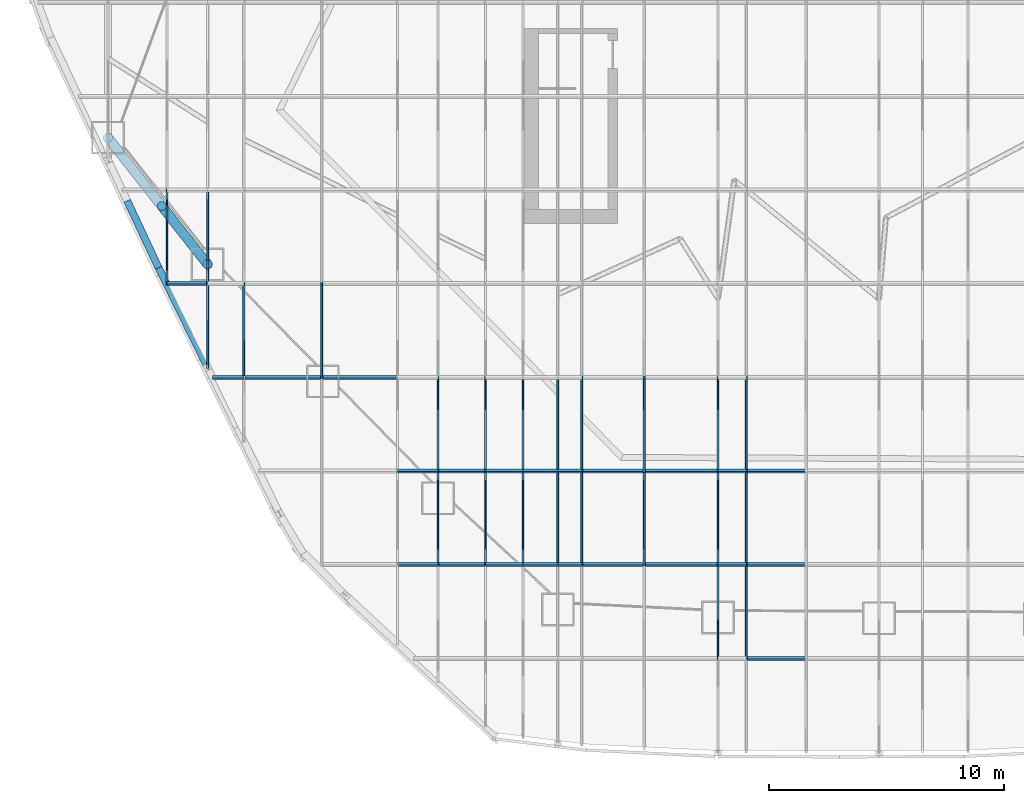
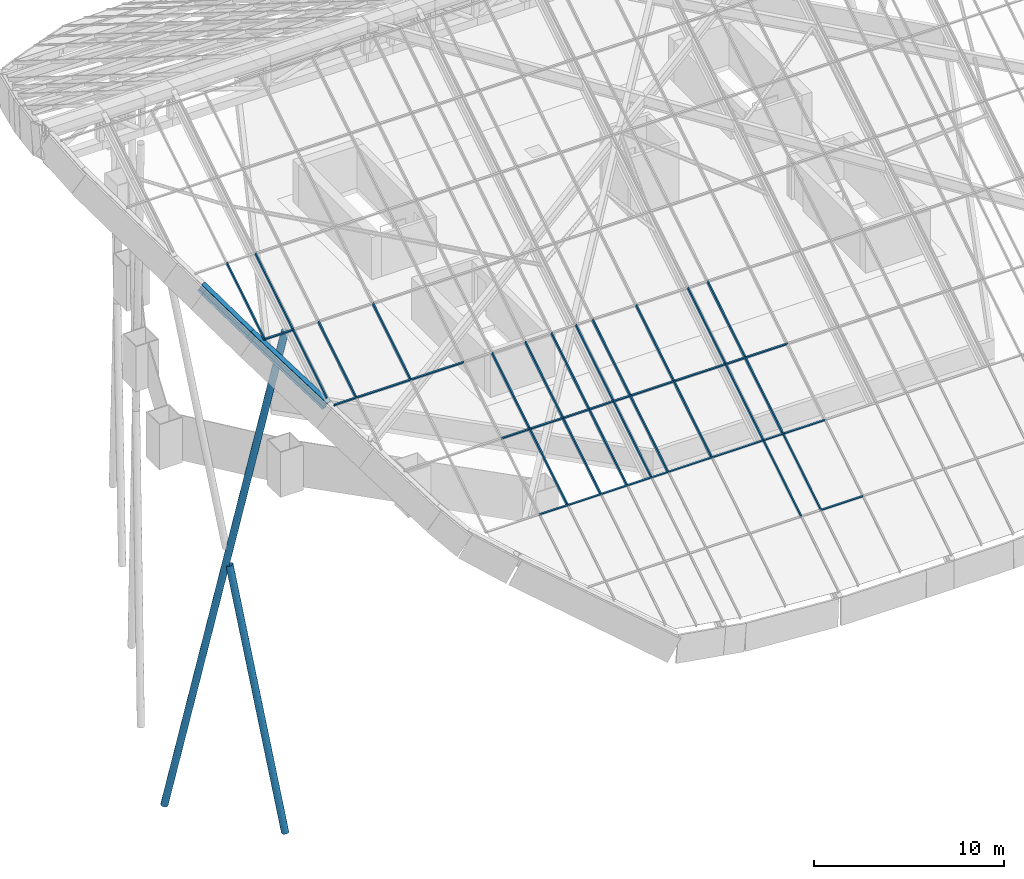
# One storey, part 2 of 38: 50 members, 27 elements without a shape of their own.
"""IFC4 building model written with IfcOpenShell, lengths in metres."""

from ifc_helpers import new_model, si_unit, direction, frame, origin, origin_2d, place, context, subcontext, project, spatial, rectangle, hollow_circle, i_section, extrude, material, layer, layer_set, material_profile, profile_set, type_object, element, aggregate, save


model = new_model("IFC4")

# Units and contexts
model_context = context("Model", 3, precision=1e-05, world=origin(), true_north=direction((0.0, 1.0)))
body_context = subcontext(model_context, "Body", "Model", "MODEL_VIEW")
ifc_project = project(units=[si_unit("LENGTHUNIT", "METRE"), si_unit("AREAUNIT", "SQUARE_METRE"), si_unit("VOLUMEUNIT", "CUBIC_METRE"), si_unit("PLANEANGLEUNIT", "RADIAN"), si_unit("MASSUNIT", "GRAM", prefix="KILO")], contexts=[model_context])

# Site, building, storey
site_placement = place(None, origin())
site = spatial("IfcSite", under=ifc_project, at=site_placement, CompositionType="ELEMENT")
building_placement = place(site_placement, origin())
building = spatial("IfcBuilding", under=site, at=building_placement, Name="Dongbaek Canopy Tower", CompositionType="ELEMENT")
storey_placement = place(building_placement, frame((0.0, 0.0, 375.800048828125)))
storey = spatial("IfcBuildingStorey", under=building, at=storey_placement, Name="Roof", CompositionType="ELEMENT", Elevation=375.800048828125)

# Members
ifc_material_1 = material(Name="Steel S355", Category="steel")
ifc_material_profile_1 = material_profile(ifc_material_1, hollow_circle(Radius=0.203125, WallThickness=0.0126953125, at=origin_2d()), Name="COLONNADE BRACE CHS 406.4x12.7 Steel S355")
ifc_profile_set_1 = profile_set([ifc_material_profile_1], Name="Steel S355")
member_type_1 = type_object("IfcMemberType", Name="COLONNADE BRACE CHS 406.4x12.7 Steel S355", PredefinedType="BRACE", material=ifc_profile_set_1)
member_1_placement = place(storey_placement, frame((-31.12890625, -6.7451171875, -22.199951171875), z_axis=(0.128523470724, -0.163349949288, 0.978160780005), x_axis=(0.785904270867, 0.618348184304, 0.0)))
element("IfcMember", 1, at=member_1_placement, inside=storey, type_object=member_type_1, Name="XBRACE:00:0", PredefinedType="BRACE", context=body_context, shape_type="SweptSolid", body=[
    extrude(hollow_circle(Radius=0.203125, WallThickness=0.0126953125, at=origin_2d()), origin(), (0.0, 0.0, 1.0), 32.989990234375),
])
member_2_placement = place(storey_placement, frame((-26.888916015625, -12.134033203125, -22.199951171875), z_axis=(-0.116835686354, 0.148500887366, 0.981986206036), x_axis=(-0.785916016316, -0.618333255857, 0.0)))
element("IfcMember", 2, at=member_2_placement, inside=storey, type_object=member_type_1, Name="XBRACE:00:1", PredefinedType="BRACE", context=body_context, shape_type="SweptSolid", body=[
    extrude(hollow_circle(Radius=0.203125, WallThickness=0.0126953125, at=origin_2d()), origin(), (0.0, 0.0, 1.0), 16.72314453125),
])

# Curtain wall, member
ifc_material_2 = material(Name="Aluminium 6063-T6 pale anodised", Category="aluminium")
ifc_layer = layer(ifc_material_2, 0.199951171875)
ifc_layer_set = layer_set([ifc_layer], Name="CW-6 canopy glazing curtain wall")
curtain_wall_type = type_object("IfcCurtainWallType", Name="CW-6 canopy glazing curtain wall", PredefinedType="NOTDEFINED", material=ifc_layer_set)
curtain_wall_1_placement = place(storey_placement, origin())
curtain_wall_1 = element("IfcCurtainWall", 3, at=curtain_wall_1_placement, inside=storey, type_object=curtain_wall_type, Name="CW-6 canopy glazing south 2.3", PredefinedType="NOTDEFINED")
ifc_material_3 = material(Name="Aluminium 6063-T6 pale anodised", Category="aluminium")
ifc_material_profile_2 = material_profile(ifc_material_3, rectangle(XDim=0.080078125, YDim=0.199951171875, at=origin_2d()), Name="CW-6 mullion 80 x 200")
ifc_profile_set_2 = profile_set([ifc_material_profile_2], Name="Aluminium 6063-T6 pale anodised")
member_type_2 = type_object("IfcMemberType", Name="CW-6 mullion 80 x 200", PredefinedType="MULLION", material=ifc_profile_set_2)
member_3_placement = place(storey_placement, frame((-28.616943359375, -8.972412109375, 13.116943359375), z_axis=(0.0, -0.848068327403, -0.529886886095), x_axis=(1.0, 0.0, 0.0)))
member_3 = element("IfcMember", 4, at=member_3_placement, type_object=member_type_2, Name="CW-6 mullion S2.3.-28.6", PredefinedType="MULLION", context=body_context, shape_type="SweptSolid", body=[
    extrude(rectangle(XDim=0.080078125, YDim=0.199951171875, at=origin_2d()), origin(), (0.0, 0.0, 1.0), 4.700439453125),
])
aggregate(curtain_wall_1, [member_3])

curtain_wall_2_placement = place(storey_placement, origin())
curtain_wall_2 = element("IfcCurtainWall", 5, at=curtain_wall_2_placement, inside=storey, type_object=curtain_wall_type, Name="CW-6 canopy glazing south 3.3", PredefinedType="NOTDEFINED")
member_4_placement = place(storey_placement, frame((-26.888916015625, -8.972412109375, 13.116943359375), z_axis=(0.0, -0.848068327403, -0.529886886095), x_axis=(1.0, 0.0, 0.0)))
member_4 = element("IfcMember", 6, at=member_4_placement, type_object=member_type_2, Name="CW-6 mullion S3.3.-26.9", PredefinedType="MULLION", context=body_context, shape_type="SweptSolid", body=[
    extrude(rectangle(XDim=0.080078125, YDim=0.199951171875, at=origin_2d()), origin(), (0.0, 0.0, 1.0), 4.700439453125),
])

curtain_wall_3_placement = place(storey_placement, origin())
curtain_wall_3 = element("IfcCurtainWall", 7, at=curtain_wall_3_placement, inside=storey, type_object=curtain_wall_type, Name="CW-6 canopy glazing south 3.4", PredefinedType="NOTDEFINED")
member_5_placement = place(storey_placement, frame((-26.888916015625, -12.958740234375, 10.626220703125), z_axis=(0.0, -0.848040836517, -0.529930881908), x_axis=(1.0, 0.0, 0.0)))
member_5 = element("IfcMember", 8, at=member_5_placement, type_object=member_type_2, Name="CW-6 mullion S3.4.-26.9", PredefinedType="MULLION", context=body_context, shape_type="SweptSolid", body=[
    extrude(rectangle(XDim=0.080078125, YDim=0.199951171875, at=origin_2d()), origin(), (0.0, 0.0, 1.0), 4.19189453125),
])
aggregate(curtain_wall_3, [member_5])

curtain_wall_4_placement = place(storey_placement, origin())
curtain_wall_4 = element("IfcCurtainWall", 9, at=curtain_wall_4_placement, inside=storey, type_object=curtain_wall_type, Name="CW-6 canopy glazing south 4.4", PredefinedType="NOTDEFINED")
member_6_placement = place(storey_placement, frame((-25.346923828125, -12.958740234375, 10.626220703125), z_axis=(0.0, -0.848030400431, -0.529947582262), x_axis=(1.0, 0.0, 0.0)))
member_6 = element("IfcMember", 10, at=member_6_placement, type_object=member_type_2, Name="CW-6 mullion S4.4.-25.3", PredefinedType="MULLION", context=body_context, shape_type="SweptSolid", body=[
    extrude(rectangle(XDim=0.080078125, YDim=0.199951171875, at=origin_2d()), origin(), (0.0, 0.0, 1.0), 4.700439453125),
])

curtain_wall_5_placement = place(storey_placement, origin())
curtain_wall_5 = element("IfcCurtainWall", 11, at=curtain_wall_5_placement, inside=storey, type_object=curtain_wall_type, Name="CW-6 canopy glazing south 5.4", PredefinedType="NOTDEFINED")
member_7_placement = place(storey_placement, frame((-22.031005859375, -12.958740234375, 10.626220703125), z_axis=(0.0, -0.848030400431, -0.529947582262), x_axis=(1.0, 0.0, 0.0)))
member_7 = element("IfcMember", 12, at=member_7_placement, type_object=member_type_2, Name="CW-6 mullion S5.4.-22.0", PredefinedType="MULLION", context=body_context, shape_type="SweptSolid", body=[
    extrude(rectangle(XDim=0.080078125, YDim=0.199951171875, at=origin_2d()), origin(), (0.0, 0.0, 1.0), 4.700439453125),
])

curtain_wall_6_placement = place(storey_placement, origin())
curtain_wall_6 = element("IfcCurtainWall", 13, at=curtain_wall_6_placement, inside=storey, type_object=curtain_wall_type, Name="CW-6 canopy glazing south 7.5", PredefinedType="NOTDEFINED")
member_8_placement = place(storey_placement, frame((-17.083984375, -16.94482421875, 8.13525390625), z_axis=(0.0, -0.848068327403, -0.529886886095), x_axis=(1.0, 0.0, 0.0)))
member_8 = element("IfcMember", 14, at=member_8_placement, type_object=member_type_2, Name="CW-6 mullion S7.5.-17.1", PredefinedType="MULLION", context=body_context, shape_type="SweptSolid", body=[
    extrude(rectangle(XDim=0.080078125, YDim=0.199951171875, at=origin_2d()), origin(), (0.0, 0.0, 1.0), 4.700439453125),
])

curtain_wall_7_placement = place(storey_placement, origin())
curtain_wall_7 = element("IfcCurtainWall", 15, at=curtain_wall_7_placement, inside=storey, type_object=curtain_wall_type, Name="CW-6 canopy glazing south 7.6", PredefinedType="NOTDEFINED")
member_9_placement = place(storey_placement, frame((-17.083984375, -20.93115234375, 5.64453125), z_axis=(0.0, -0.848030400431, -0.529947582262), x_axis=(1.0, 0.0, 0.0)))
member_9 = element("IfcMember", 16, at=member_9_placement, type_object=member_type_2, Name="CW-6 mullion S7.6.-17.1", PredefinedType="MULLION", context=body_context, shape_type="SweptSolid", body=[
    extrude(rectangle(XDim=0.080078125, YDim=0.199951171875, at=origin_2d()), origin(), (0.0, 0.0, 1.0), 4.700439453125),
])

curtain_wall_8_placement = place(storey_placement, origin())
curtain_wall_8 = element("IfcCurtainWall", 17, at=curtain_wall_8_placement, inside=storey, type_object=curtain_wall_type, Name="CW-6 canopy glazing south 8.5", PredefinedType="NOTDEFINED")
member_10_placement = place(storey_placement, frame((-15.06201171875, -16.94482421875, 8.13525390625), z_axis=(0.0, -0.848068327403, -0.529886886095), x_axis=(1.0, 0.0, 0.0)))
member_10 = element("IfcMember", 18, at=member_10_placement, type_object=member_type_2, Name="CW-6 mullion S8.5.-15.1", PredefinedType="MULLION", context=body_context, shape_type="SweptSolid", body=[
    extrude(rectangle(XDim=0.080078125, YDim=0.199951171875, at=origin_2d()), origin(), (0.0, 0.0, 1.0), 4.700439453125),
])

curtain_wall_9_placement = place(storey_placement, origin())
curtain_wall_9 = element("IfcCurtainWall", 19, at=curtain_wall_9_placement, inside=storey, type_object=curtain_wall_type, Name="CW-6 canopy glazing south 8.6", PredefinedType="NOTDEFINED")
member_11_placement = place(storey_placement, frame((-15.06201171875, -20.93115234375, 5.64453125), z_axis=(0.0, -0.848030400431, -0.529947582262), x_axis=(1.0, 0.0, 0.0)))
member_11 = element("IfcMember", 20, at=member_11_placement, type_object=member_type_2, Name="CW-6 mullion S8.6.-15.1", PredefinedType="MULLION", context=body_context, shape_type="SweptSolid", body=[
    extrude(rectangle(XDim=0.080078125, YDim=0.199951171875, at=origin_2d()), origin(), (0.0, 0.0, 1.0), 4.700439453125),
])

curtain_wall_10_placement = place(storey_placement, origin())
curtain_wall_10 = element("IfcCurtainWall", 21, at=curtain_wall_10_placement, inside=storey, type_object=curtain_wall_type, Name="CW-6 canopy glazing south 9.5", PredefinedType="NOTDEFINED")
member_12_placement = place(storey_placement, frame((-13.464599609375, -16.94482421875, 8.13525390625), z_axis=(0.0, -0.848068327403, -0.529886886095), x_axis=(1.0, 0.0, 0.0)))
member_12 = element("IfcMember", 22, at=member_12_placement, type_object=member_type_2, Name="CW-6 mullion S9.5.-13.5", PredefinedType="MULLION", context=body_context, shape_type="SweptSolid", body=[
    extrude(rectangle(XDim=0.080078125, YDim=0.199951171875, at=origin_2d()), origin(), (0.0, 0.0, 1.0), 4.700439453125),
])

curtain_wall_11_placement = place(storey_placement, origin())
curtain_wall_11 = element("IfcCurtainWall", 23, at=curtain_wall_11_placement, inside=storey, type_object=curtain_wall_type, Name="CW-6 canopy glazing south 9.6", PredefinedType="NOTDEFINED")
member_13_placement = place(storey_placement, frame((-13.464599609375, -20.93115234375, 5.64453125), z_axis=(0.0, -0.848030400431, -0.529947582262), x_axis=(1.0, 0.0, 0.0)))
member_13 = element("IfcMember", 24, at=member_13_placement, type_object=member_type_2, Name="CW-6 mullion S9.6.-13.5", PredefinedType="MULLION", context=body_context, shape_type="SweptSolid", body=[
    extrude(rectangle(XDim=0.080078125, YDim=0.199951171875, at=origin_2d()), origin(), (0.0, 0.0, 1.0), 4.700439453125),
])

curtain_wall_12_placement = place(storey_placement, origin())
curtain_wall_12 = element("IfcCurtainWall", 25, at=curtain_wall_12_placement, inside=storey, type_object=curtain_wall_type, Name="CW-6 canopy glazing south 10.5", PredefinedType="NOTDEFINED")
member_14_placement = place(storey_placement, frame((-11.985107421875, -16.94482421875, 8.13525390625), z_axis=(0.0, -0.848068327403, -0.529886886095), x_axis=(1.0, 0.0, 0.0)))
member_14 = element("IfcMember", 26, at=member_14_placement, type_object=member_type_2, Name="CW-6 mullion S10.5.-12.0", PredefinedType="MULLION", context=body_context, shape_type="SweptSolid", body=[
    extrude(rectangle(XDim=0.080078125, YDim=0.199951171875, at=origin_2d()), origin(), (0.0, 0.0, 1.0), 4.700439453125),
])

curtain_wall_13_placement = place(storey_placement, origin())
curtain_wall_13 = element("IfcCurtainWall", 27, at=curtain_wall_13_placement, inside=storey, type_object=curtain_wall_type, Name="CW-6 canopy glazing south 10.6", PredefinedType="NOTDEFINED")
member_15_placement = place(storey_placement, frame((-11.985107421875, -20.93115234375, 5.64453125), z_axis=(0.0, -0.848030400431, -0.529947582262), x_axis=(1.0, 0.0, 0.0)))
member_15 = element("IfcMember", 28, at=member_15_placement, type_object=member_type_2, Name="CW-6 mullion S10.6.-12.0", PredefinedType="MULLION", context=body_context, shape_type="SweptSolid", body=[
    extrude(rectangle(XDim=0.080078125, YDim=0.199951171875, at=origin_2d()), origin(), (0.0, 0.0, 1.0), 4.700439453125),
])

curtain_wall_14_placement = place(storey_placement, origin())
curtain_wall_14 = element("IfcCurtainWall", 29, at=curtain_wall_14_placement, inside=storey, type_object=curtain_wall_type, Name="CW-6 canopy glazing south 11.5", PredefinedType="NOTDEFINED")
member_16_placement = place(storey_placement, frame((-10.964599609375, -16.94482421875, 8.13525390625), z_axis=(0.0, -0.848068327403, -0.529886886095), x_axis=(1.0, 0.0, 0.0)))
member_16 = element("IfcMember", 30, at=member_16_placement, type_object=member_type_2, Name="CW-6 mullion S11.5.-11.0", PredefinedType="MULLION", context=body_context, shape_type="SweptSolid", body=[
    extrude(rectangle(XDim=0.080078125, YDim=0.199951171875, at=origin_2d()), origin(), (0.0, 0.0, 1.0), 4.700439453125),
])

curtain_wall_15_placement = place(storey_placement, origin())
curtain_wall_15 = element("IfcCurtainWall", 31, at=curtain_wall_15_placement, inside=storey, type_object=curtain_wall_type, Name="CW-6 canopy glazing south 11.6", PredefinedType="NOTDEFINED")
member_17_placement = place(storey_placement, frame((-10.964599609375, -20.93115234375, 5.64453125), z_axis=(0.0, -0.848030400431, -0.529947582262), x_axis=(1.0, 0.0, 0.0)))
member_17 = element("IfcMember", 32, at=member_17_placement, type_object=member_type_2, Name="CW-6 mullion S11.6.-11.0", PredefinedType="MULLION", context=body_context, shape_type="SweptSolid", body=[
    extrude(rectangle(XDim=0.080078125, YDim=0.199951171875, at=origin_2d()), origin(), (0.0, 0.0, 1.0), 4.700439453125),
])

curtain_wall_16_placement = place(storey_placement, origin())
curtain_wall_16 = element("IfcCurtainWall", 33, at=curtain_wall_16_placement, inside=storey, type_object=curtain_wall_type, Name="CW-6 canopy glazing south 12.5", PredefinedType="NOTDEFINED")
member_18_placement = place(storey_placement, frame((-8.30908203125, -16.94482421875, 8.13525390625), z_axis=(0.0, -0.848068327403, -0.529886886095), x_axis=(1.0, 0.0, 0.0)))
member_18 = element("IfcMember", 34, at=member_18_placement, type_object=member_type_2, Name="CW-6 mullion S12.5.-8.3", PredefinedType="MULLION", context=body_context, shape_type="SweptSolid", body=[
    extrude(rectangle(XDim=0.080078125, YDim=0.199951171875, at=origin_2d()), origin(), (0.0, 0.0, 1.0), 4.700439453125),
])

curtain_wall_17_placement = place(storey_placement, origin())
curtain_wall_17 = element("IfcCurtainWall", 35, at=curtain_wall_17_placement, inside=storey, type_object=curtain_wall_type, Name="CW-6 canopy glazing south 12.6", PredefinedType="NOTDEFINED")
member_19_placement = place(storey_placement, frame((-8.30908203125, -20.93115234375, 5.64453125), z_axis=(0.0, -0.848030400431, -0.529947582262), x_axis=(1.0, 0.0, 0.0)))
member_19 = element("IfcMember", 36, at=member_19_placement, type_object=member_type_2, Name="CW-6 mullion S12.6.-8.3", PredefinedType="MULLION", context=body_context, shape_type="SweptSolid", body=[
    extrude(rectangle(XDim=0.080078125, YDim=0.199951171875, at=origin_2d()), origin(), (0.0, 0.0, 1.0), 4.700439453125),
])

curtain_wall_18_placement = place(storey_placement, origin())
curtain_wall_18 = element("IfcCurtainWall", 37, at=curtain_wall_18_placement, inside=storey, type_object=curtain_wall_type, Name="CW-6 canopy glazing south 13.5", PredefinedType="NOTDEFINED")
member_20_placement = place(storey_placement, frame((-5.166015625, -16.94482421875, 8.13525390625), z_axis=(0.0, -0.848068327403, -0.529886886095), x_axis=(1.0, 0.0, 0.0)))
member_20 = element("IfcMember", 38, at=member_20_placement, type_object=member_type_2, Name="CW-6 mullion S13.5.-5.2", PredefinedType="MULLION", context=body_context, shape_type="SweptSolid", body=[
    extrude(rectangle(XDim=0.080078125, YDim=0.199951171875, at=origin_2d()), origin(), (0.0, 0.0, 1.0), 4.700439453125),
])

curtain_wall_19_placement = place(storey_placement, origin())
curtain_wall_19 = element("IfcCurtainWall", 39, at=curtain_wall_19_placement, inside=storey, type_object=curtain_wall_type, Name="CW-6 canopy glazing south 13.6", PredefinedType="NOTDEFINED")
member_21_placement = place(storey_placement, frame((-5.166015625, -20.93115234375, 5.64453125), z_axis=(0.0, -0.848030400431, -0.529947582262), x_axis=(1.0, 0.0, 0.0)))
member_21 = element("IfcMember", 40, at=member_21_placement, type_object=member_type_2, Name="CW-6 mullion S13.6.-5.2", PredefinedType="MULLION", context=body_context, shape_type="SweptSolid", body=[
    extrude(rectangle(XDim=0.080078125, YDim=0.199951171875, at=origin_2d()), origin(), (0.0, 0.0, 1.0), 4.700439453125),
])

curtain_wall_20_placement = place(storey_placement, origin())
curtain_wall_20 = element("IfcCurtainWall", 41, at=curtain_wall_20_placement, inside=storey, type_object=curtain_wall_type, Name="CW-6 canopy glazing south 13.7", PredefinedType="NOTDEFINED")
member_22_placement = place(storey_placement, frame((-5.166015625, -24.917236328125, 3.153564453125), z_axis=(0.0, -0.848068327403, -0.529886886095), x_axis=(1.0, 0.0, 0.0)))
member_22 = element("IfcMember", 42, at=member_22_placement, type_object=member_type_2, Name="CW-6 mullion S13.7.-5.2", PredefinedType="MULLION", context=body_context, shape_type="SweptSolid", body=[
    extrude(rectangle(XDim=0.080078125, YDim=0.199951171875, at=origin_2d()), origin(), (0.0, 0.0, 1.0), 4.700439453125),
])
aggregate(curtain_wall_20, [member_22])

curtain_wall_21_placement = place(storey_placement, origin())
curtain_wall_21 = element("IfcCurtainWall", 43, at=curtain_wall_21_placement, inside=storey, type_object=curtain_wall_type, Name="CW-6 canopy glazing south 14.5", PredefinedType="NOTDEFINED")
member_23_placement = place(storey_placement, frame((-3.964599609375, -16.94482421875, 8.13525390625), z_axis=(0.0, -0.848068327403, -0.529886886095), x_axis=(1.0, 0.0, 0.0)))
member_23 = element("IfcMember", 44, at=member_23_placement, type_object=member_type_2, Name="CW-6 mullion S14.5.-4.0", PredefinedType="MULLION", context=body_context, shape_type="SweptSolid", body=[
    extrude(rectangle(XDim=0.080078125, YDim=0.199951171875, at=origin_2d()), origin(), (0.0, 0.0, 1.0), 4.700439453125),
])

curtain_wall_22_placement = place(storey_placement, origin())
curtain_wall_22 = element("IfcCurtainWall", 45, at=curtain_wall_22_placement, inside=storey, type_object=curtain_wall_type, Name="CW-6 canopy glazing south 14.6", PredefinedType="NOTDEFINED")
member_24_placement = place(storey_placement, frame((-3.964599609375, -20.93115234375, 5.64453125), z_axis=(0.0, -0.848030400431, -0.529947582262), x_axis=(1.0, 0.0, 0.0)))
member_24 = element("IfcMember", 46, at=member_24_placement, type_object=member_type_2, Name="CW-6 mullion S14.6.-4.0", PredefinedType="MULLION", context=body_context, shape_type="SweptSolid", body=[
    extrude(rectangle(XDim=0.080078125, YDim=0.199951171875, at=origin_2d()), origin(), (0.0, 0.0, 1.0), 4.700439453125),
])

curtain_wall_23_placement = place(storey_placement, origin())
curtain_wall_23 = element("IfcCurtainWall", 47, at=curtain_wall_23_placement, inside=storey, type_object=curtain_wall_type, Name="CW-6 canopy glazing south 14.7", PredefinedType="NOTDEFINED")
member_25_placement = place(storey_placement, frame((-3.964599609375, -24.917236328125, 3.153564453125), z_axis=(0.0, -0.848068327403, -0.529886886095), x_axis=(1.0, 0.0, 0.0)))
member_25 = element("IfcMember", 48, at=member_25_placement, type_object=member_type_2, Name="CW-6 mullion S14.7.-4.0", PredefinedType="MULLION", context=body_context, shape_type="SweptSolid", body=[
    extrude(rectangle(XDim=0.080078125, YDim=0.199951171875, at=origin_2d()), origin(), (0.0, 0.0, 1.0), 4.700439453125),
])
aggregate(curtain_wall_23, [member_25])

# Member
ifc_material_4 = material(Name="Aluminium 6063-T6 pale anodised", Category="aluminium")
ifc_material_profile_3 = material_profile(ifc_material_4, rectangle(XDim=0.080078125, YDim=0.199951171875, at=origin_2d()), Name="CW-6 transom 80 x 200")
ifc_profile_set_3 = profile_set([ifc_material_profile_3], Name="Aluminium 6063-T6 pale anodised")
member_type_3 = type_object("IfcMemberType", Name="CW-6 transom 80 x 200", PredefinedType="USERDEFINED", material=ifc_profile_set_3)
member_26_placement = place(storey_placement, frame((-28.616943359375, -12.958740234375, 10.626220703125), z_axis=(1.0, 0.0, 0.0), x_axis=(0.0, 0.848048096156, 0.529919264233)))
member_26 = element("IfcMember", 49, at=member_26_placement, type_object=member_type_3, Name="CW-6 transom S3.3.4", ObjectType="TRANSOM", PredefinedType="USERDEFINED", context=body_context, shape_type="SweptSolid", body=[
    extrude(rectangle(XDim=0.080078125, YDim=0.199951171875, at=origin_2d()), origin(), (0.0, 0.0, 1.0), 1.72802734375),
])

aggregate(curtain_wall_2, [member_4, member_26])

member_27_placement = place(storey_placement, frame((-26.677001953125, -16.94482421875, 8.13525390625), z_axis=(1.0, 0.0, 0.0), x_axis=(0.0, 0.848048096156, 0.529919264233)))
member_27 = element("IfcMember", 50, at=member_27_placement, type_object=member_type_3, Name="CW-6 transom S4.4.5", ObjectType="TRANSOM", PredefinedType="USERDEFINED", context=body_context, shape_type="SweptSolid", body=[
    extrude(rectangle(XDim=0.080078125, YDim=0.199951171875, at=origin_2d()), origin(), (0.0, 0.0, 1.0), 1.330078125),
])

aggregate(curtain_wall_4, [member_6, member_27])

member_28_placement = place(storey_placement, frame((-25.346923828125, -16.94482421875, 8.13525390625), z_axis=(1.0, 0.0, 0.0), x_axis=(0.0, 0.848048096156, 0.529919264233)))
member_28 = element("IfcMember", 51, at=member_28_placement, type_object=member_type_3, Name="CW-6 transom S5.4.5", ObjectType="TRANSOM", PredefinedType="USERDEFINED", context=body_context, shape_type="SweptSolid", body=[
    extrude(rectangle(XDim=0.080078125, YDim=0.199951171875, at=origin_2d()), origin(), (0.0, 0.0, 1.0), 3.31591796875),
])

aggregate(curtain_wall_5, [member_7, member_28])

# Curtain wall, member
curtain_wall_24_placement = place(storey_placement, origin())
curtain_wall_24 = element("IfcCurtainWall", 52, at=curtain_wall_24_placement, inside=storey, type_object=curtain_wall_type, Name="CW-6 canopy glazing south 6.4", PredefinedType="NOTDEFINED")
member_29_placement = place(storey_placement, frame((-22.031005859375, -16.94482421875, 8.13525390625), z_axis=(1.0, 0.0, 0.0), x_axis=(0.0, 0.848048096156, 0.529919264233)))
member_29 = element("IfcMember", 53, at=member_29_placement, type_object=member_type_3, Name="CW-6 transom S6.4.5", ObjectType="TRANSOM", PredefinedType="USERDEFINED", context=body_context, shape_type="SweptSolid", body=[
    extrude(rectangle(XDim=0.080078125, YDim=0.199951171875, at=origin_2d()), origin(), (0.0, 0.0, 1.0), 3.22509765625),
])
aggregate(curtain_wall_24, [member_29])

# Member
member_30_placement = place(storey_placement, frame((-18.805908203125, -20.93115234375, 5.64453125), z_axis=(1.0, 0.0, 0.0), x_axis=(0.0, 0.848048096156, 0.529919264233)))
member_30 = element("IfcMember", 54, at=member_30_placement, type_object=member_type_3, Name="CW-6 transom S7.5.6", ObjectType="TRANSOM", PredefinedType="USERDEFINED", context=body_context, shape_type="SweptSolid", body=[
    extrude(rectangle(XDim=0.080078125, YDim=0.199951171875, at=origin_2d()), origin(), (0.0, 0.0, 1.0), 1.721923828125),
])

aggregate(curtain_wall_6, [member_8, member_30])

member_31_placement = place(storey_placement, frame((-18.805908203125, -24.917236328125, 3.153564453125), z_axis=(1.0, 0.0, 0.0), x_axis=(0.0, 0.848048096156, 0.529919264233)))
member_31 = element("IfcMember", 55, at=member_31_placement, type_object=member_type_3, Name="CW-6 transom S7.6.7", ObjectType="TRANSOM", PredefinedType="USERDEFINED", context=body_context, shape_type="SweptSolid", body=[
    extrude(rectangle(XDim=0.080078125, YDim=0.199951171875, at=origin_2d()), origin(), (0.0, 0.0, 1.0), 1.721923828125),
])

aggregate(curtain_wall_7, [member_9, member_31])

member_32_placement = place(storey_placement, frame((-17.083984375, -20.93115234375, 5.64453125), z_axis=(1.0, 0.0, 0.0), x_axis=(0.0, 0.848048096156, 0.529919264233)))
member_32 = element("IfcMember", 56, at=member_32_placement, type_object=member_type_3, Name="CW-6 transom S8.5.6", ObjectType="TRANSOM", PredefinedType="USERDEFINED", context=body_context, shape_type="SweptSolid", body=[
    extrude(rectangle(XDim=0.080078125, YDim=0.199951171875, at=origin_2d()), origin(), (0.0, 0.0, 1.0), 2.02197265625),
])

aggregate(curtain_wall_8, [member_10, member_32])

member_33_placement = place(storey_placement, frame((-17.083984375, -24.917236328125, 3.153564453125), z_axis=(1.0, 0.0, 0.0), x_axis=(0.0, 0.848048096156, 0.529919264233)))
member_33 = element("IfcMember", 57, at=member_33_placement, type_object=member_type_3, Name="CW-6 transom S8.6.7", ObjectType="TRANSOM", PredefinedType="USERDEFINED", context=body_context, shape_type="SweptSolid", body=[
    extrude(rectangle(XDim=0.080078125, YDim=0.199951171875, at=origin_2d()), origin(), (0.0, 0.0, 1.0), 2.02197265625),
])

aggregate(curtain_wall_9, [member_11, member_33])

member_34_placement = place(storey_placement, frame((-15.06201171875, -20.93115234375, 5.64453125), z_axis=(1.0, 0.0, 0.0), x_axis=(0.0, 0.848048096156, 0.529919264233)))
member_34 = element("IfcMember", 58, at=member_34_placement, type_object=member_type_3, Name="CW-6 transom S9.5.6", ObjectType="TRANSOM", PredefinedType="USERDEFINED", context=body_context, shape_type="SweptSolid", body=[
    extrude(rectangle(XDim=0.080078125, YDim=0.199951171875, at=origin_2d()), origin(), (0.0, 0.0, 1.0), 1.597412109375),
])

aggregate(curtain_wall_10, [member_12, member_34])

member_35_placement = place(storey_placement, frame((-15.06201171875, -24.917236328125, 3.153564453125), z_axis=(1.0, 0.0, 0.0), x_axis=(0.0, 0.848048096156, 0.529919264233)))
member_35 = element("IfcMember", 59, at=member_35_placement, type_object=member_type_3, Name="CW-6 transom S9.6.7", ObjectType="TRANSOM", PredefinedType="USERDEFINED", context=body_context, shape_type="SweptSolid", body=[
    extrude(rectangle(XDim=0.080078125, YDim=0.199951171875, at=origin_2d()), origin(), (0.0, 0.0, 1.0), 1.597412109375),
])

aggregate(curtain_wall_11, [member_13, member_35])

member_36_placement = place(storey_placement, frame((-13.464599609375, -20.93115234375, 5.64453125), z_axis=(1.0, 0.0, 0.0), x_axis=(0.0, 0.848048096156, 0.529919264233)))
member_36 = element("IfcMember", 60, at=member_36_placement, type_object=member_type_3, Name="CW-6 transom S10.5.6", ObjectType="TRANSOM", PredefinedType="USERDEFINED", context=body_context, shape_type="SweptSolid", body=[
    extrude(rectangle(XDim=0.080078125, YDim=0.199951171875, at=origin_2d()), origin(), (0.0, 0.0, 1.0), 1.4794921875),
])

aggregate(curtain_wall_12, [member_14, member_36])

member_37_placement = place(storey_placement, frame((-13.464599609375, -24.917236328125, 3.153564453125), z_axis=(1.0, 0.0, 0.0), x_axis=(0.0, 0.848048096156, 0.529919264233)))
member_37 = element("IfcMember", 61, at=member_37_placement, type_object=member_type_3, Name="CW-6 transom S10.6.7", ObjectType="TRANSOM", PredefinedType="USERDEFINED", context=body_context, shape_type="SweptSolid", body=[
    extrude(rectangle(XDim=0.080078125, YDim=0.199951171875, at=origin_2d()), origin(), (0.0, 0.0, 1.0), 1.4794921875),
])

aggregate(curtain_wall_13, [member_15, member_37])

member_38_placement = place(storey_placement, frame((-11.985107421875, -20.93115234375, 5.64453125), z_axis=(1.0, 0.0, 0.0), x_axis=(0.0, 0.848048096156, 0.529919264233)))
member_38 = element("IfcMember", 62, at=member_38_placement, type_object=member_type_3, Name="CW-6 transom S11.5.6", ObjectType="TRANSOM", PredefinedType="USERDEFINED", context=body_context, shape_type="SweptSolid", body=[
    extrude(rectangle(XDim=0.080078125, YDim=0.199951171875, at=origin_2d()), origin(), (0.0, 0.0, 1.0), 1.0205078125),
])

aggregate(curtain_wall_14, [member_16, member_38])

member_39_placement = place(storey_placement, frame((-11.985107421875, -24.917236328125, 3.153564453125), z_axis=(1.0, 0.0, 0.0), x_axis=(0.0, 0.848048096156, 0.529919264233)))
member_39 = element("IfcMember", 63, at=member_39_placement, type_object=member_type_3, Name="CW-6 transom S11.6.7", ObjectType="TRANSOM", PredefinedType="USERDEFINED", context=body_context, shape_type="SweptSolid", body=[
    extrude(rectangle(XDim=0.080078125, YDim=0.199951171875, at=origin_2d()), origin(), (0.0, 0.0, 1.0), 1.0205078125),
])

aggregate(curtain_wall_15, [member_17, member_39])

member_40_placement = place(storey_placement, frame((-10.964599609375, -20.93115234375, 5.64453125), z_axis=(1.0, 0.0, 0.0), x_axis=(0.0, 0.848048096156, 0.529919264233)))
member_40 = element("IfcMember", 64, at=member_40_placement, type_object=member_type_3, Name="CW-6 transom S12.5.6", ObjectType="TRANSOM", PredefinedType="USERDEFINED", context=body_context, shape_type="SweptSolid", body=[
    extrude(rectangle(XDim=0.080078125, YDim=0.199951171875, at=origin_2d()), origin(), (0.0, 0.0, 1.0), 2.655517578125),
])

aggregate(curtain_wall_16, [member_18, member_40])

member_41_placement = place(storey_placement, frame((-10.964599609375, -24.917236328125, 3.153564453125), z_axis=(1.0, 0.0, 0.0), x_axis=(0.0, 0.848048096156, 0.529919264233)))
member_41 = element("IfcMember", 65, at=member_41_placement, type_object=member_type_3, Name="CW-6 transom S12.6.7", ObjectType="TRANSOM", PredefinedType="USERDEFINED", context=body_context, shape_type="SweptSolid", body=[
    extrude(rectangle(XDim=0.080078125, YDim=0.199951171875, at=origin_2d()), origin(), (0.0, 0.0, 1.0), 2.655517578125),
])

aggregate(curtain_wall_17, [member_19, member_41])

member_42_placement = place(storey_placement, frame((-8.30908203125, -20.93115234375, 5.64453125), z_axis=(1.0, 0.0, 0.0), x_axis=(0.0, 0.848048096156, 0.529919264233)))
member_42 = element("IfcMember", 66, at=member_42_placement, type_object=member_type_3, Name="CW-6 transom S13.5.6", ObjectType="TRANSOM", PredefinedType="USERDEFINED", context=body_context, shape_type="SweptSolid", body=[
    extrude(rectangle(XDim=0.080078125, YDim=0.199951171875, at=origin_2d()), origin(), (0.0, 0.0, 1.0), 3.14306640625),
])

aggregate(curtain_wall_18, [member_20, member_42])

member_43_placement = place(storey_placement, frame((-8.30908203125, -24.917236328125, 3.153564453125), z_axis=(1.0, 0.0, 0.0), x_axis=(0.0, 0.848048096156, 0.529919264233)))
member_43 = element("IfcMember", 67, at=member_43_placement, type_object=member_type_3, Name="CW-6 transom S13.6.7", ObjectType="TRANSOM", PredefinedType="USERDEFINED", context=body_context, shape_type="SweptSolid", body=[
    extrude(rectangle(XDim=0.080078125, YDim=0.199951171875, at=origin_2d()), origin(), (0.0, 0.0, 1.0), 3.14306640625),
])

aggregate(curtain_wall_19, [member_21, member_43])

member_44_placement = place(storey_placement, frame((-5.166015625, -20.93115234375, 5.64453125), z_axis=(1.0, 0.0, 0.0), x_axis=(0.0, 0.848048096156, 0.529919264233)))
member_44 = element("IfcMember", 68, at=member_44_placement, type_object=member_type_3, Name="CW-6 transom S14.5.6", ObjectType="TRANSOM", PredefinedType="USERDEFINED", context=body_context, shape_type="SweptSolid", body=[
    extrude(rectangle(XDim=0.080078125, YDim=0.199951171875, at=origin_2d()), origin(), (0.0, 0.0, 1.0), 1.201416015625),
])

aggregate(curtain_wall_21, [member_23, member_44])

member_45_placement = place(storey_placement, frame((-5.166015625, -24.917236328125, 3.153564453125), z_axis=(1.0, 0.0, 0.0), x_axis=(0.0, 0.848048096156, 0.529919264233)))
member_45 = element("IfcMember", 69, at=member_45_placement, type_object=member_type_3, Name="CW-6 transom S14.6.7", ObjectType="TRANSOM", PredefinedType="USERDEFINED", context=body_context, shape_type="SweptSolid", body=[
    extrude(rectangle(XDim=0.080078125, YDim=0.199951171875, at=origin_2d()), origin(), (0.0, 0.0, 1.0), 1.201416015625),
])

aggregate(curtain_wall_22, [member_24, member_45])

# Curtain wall, member
curtain_wall_25_placement = place(storey_placement, origin())
curtain_wall_25 = element("IfcCurtainWall", 70, at=curtain_wall_25_placement, inside=storey, type_object=curtain_wall_type, Name="CW-6 canopy glazing south 15.5", PredefinedType="NOTDEFINED")
member_46_placement = place(storey_placement, frame((-3.964599609375, -20.93115234375, 5.64453125), z_axis=(1.0, 0.0, 0.0), x_axis=(0.0, 0.848048096156, 0.529919264233)))
member_46 = element("IfcMember", 71, at=member_46_placement, type_object=member_type_3, Name="CW-6 transom S15.5.6", ObjectType="TRANSOM", PredefinedType="USERDEFINED", context=body_context, shape_type="SweptSolid", body=[
    extrude(rectangle(XDim=0.080078125, YDim=0.199951171875, at=origin_2d()), origin(), (0.0, 0.0, 1.0), 2.546630859375),
])
aggregate(curtain_wall_25, [member_46])

curtain_wall_26_placement = place(storey_placement, origin())
curtain_wall_26 = element("IfcCurtainWall", 72, at=curtain_wall_26_placement, inside=storey, type_object=curtain_wall_type, Name="CW-6 canopy glazing south 15.6", PredefinedType="NOTDEFINED")
member_47_placement = place(storey_placement, frame((-3.964599609375, -24.917236328125, 3.153564453125), z_axis=(1.0, 0.0, 0.0), x_axis=(0.0, 0.848048096156, 0.529919264233)))
member_47 = element("IfcMember", 73, at=member_47_placement, type_object=member_type_3, Name="CW-6 transom S15.6.7", ObjectType="TRANSOM", PredefinedType="USERDEFINED", context=body_context, shape_type="SweptSolid", body=[
    extrude(rectangle(XDim=0.080078125, YDim=0.199951171875, at=origin_2d()), origin(), (0.0, 0.0, 1.0), 2.546630859375),
])
aggregate(curtain_wall_26, [member_47])

curtain_wall_27_placement = place(storey_placement, origin())
curtain_wall_27 = element("IfcCurtainWall", 74, at=curtain_wall_27_placement, inside=storey, type_object=curtain_wall_type, Name="CW-6 canopy glazing south 15.7", PredefinedType="NOTDEFINED")
member_48_placement = place(storey_placement, frame((-3.964599609375, -28.903564453125, 0.662841796875), z_axis=(1.0, 0.0, 0.0), x_axis=(0.0, 0.848048096156, 0.529919264233)))
member_48 = element("IfcMember", 75, at=member_48_placement, type_object=member_type_3, Name="CW-6 transom S15.7.8", ObjectType="TRANSOM", PredefinedType="USERDEFINED", context=body_context, shape_type="SweptSolid", body=[
    extrude(rectangle(XDim=0.080078125, YDim=0.199951171875, at=origin_2d()), origin(), (0.0, 0.0, 1.0), 2.546630859375),
])
aggregate(curtain_wall_27, [member_48])

# Members
ifc_material_5 = material(Name="Steel S355", Category="steel")
ifc_material_profile_4 = material_profile(ifc_material_5, i_section(OverallWidth=0.300048828125, OverallDepth=0.587890625, WebThickness=0.011962890625, FlangeThickness=0.02001953125, FilletRadius=0.028076171875, at=origin_2d()), Name="EAVES BEAM H 588x300x12x20 Steel S355")
ifc_profile_set_4 = profile_set([ifc_material_profile_4], Name="Steel S355")
member_type_4 = type_object("IfcMemberType", Name="EAVES BEAM H 588x300x12x20 Steel S355", PredefinedType="MEMBER", material=ifc_profile_set_4)
member_49_placement = place(storey_placement, frame((-30.3720703125, -9.29638671875, 12.442626953125), z_axis=(0.369135575933, -0.788154337803, -0.492495346561), x_axis=(0.905596557434, 0.424140159811, 0.0)))
element("IfcMember", 76, at=member_49_placement, inside=storey, type_object=member_type_4, Name="EAVE:02", PredefinedType="MEMBER", context=body_context, shape_type="SweptSolid", body=[
    extrude(i_section(OverallWidth=0.300048828125, OverallDepth=0.587890625, WebThickness=0.011962890625, FlangeThickness=0.02001953125, FilletRadius=0.028076171875, at=origin_2d()), origin(), (0.0, 0.0, 1.0), 3.621826171875),
])
member_50_placement = place(storey_placement, frame((-29.03515625, -12.15087890625, 10.658935546875), z_axis=(0.385017355023, -0.782691974931, -0.489034670253), x_axis=(0.897310520025, 0.44139985348, 0.0)))
element("IfcMember", 77, at=member_50_placement, inside=storey, type_object=member_type_4, Name="EAVE:03", PredefinedType="MEMBER", context=body_context, shape_type="SweptSolid", body=[
    extrude(i_section(OverallWidth=0.300048828125, OverallDepth=0.587890625, WebThickness=0.011962890625, FlangeThickness=0.02001953125, FilletRadius=0.028076171875, at=origin_2d()), origin(), (0.0, 0.0, 1.0), 5.574462890625),
])

save(model, "model.ifc")
